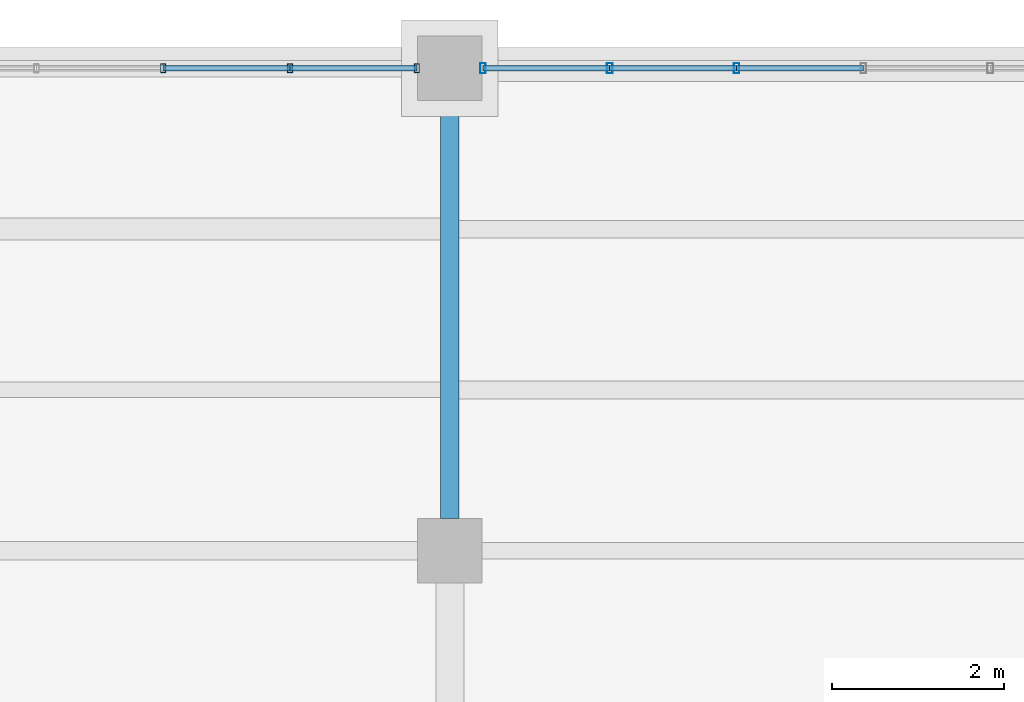
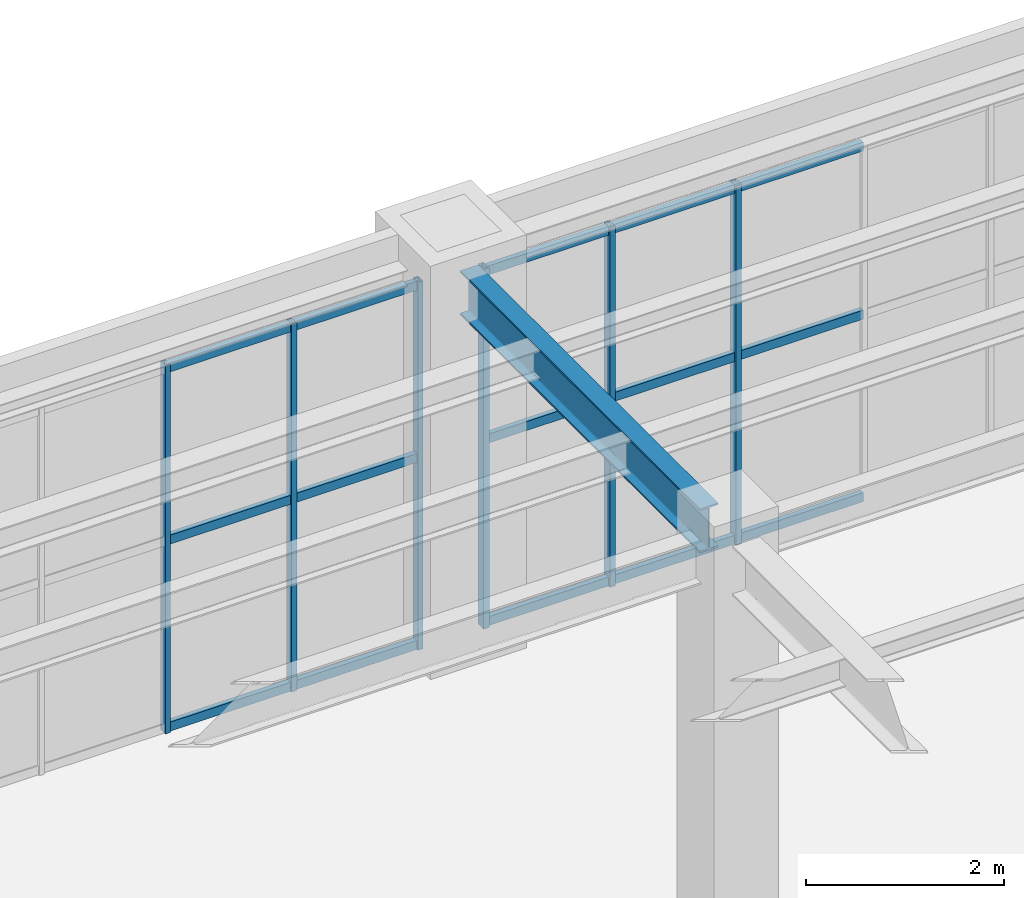
# One storey, part 76 of 174: 21 members, 1 beam, 2 elements without a shape of their own.
"""IFC4 building model written with IfcOpenShell, lengths in metres."""

from ifc_helpers import new_model, si_unit, direction, frame, origin, origin_2d, place, context, subcontext, project, spatial, hollow_rectangle, i_section, extrude, material, material_profile, profile_set, type_object, element, aggregate, save


model = new_model("IFC4")

# Units and contexts
model_context = context("Model", 3, precision=1e-05, world=origin(), true_north=direction((0.0, 1.0)))
body_context = subcontext(model_context, "Body", "Model", "MODEL_VIEW")
ifc_project = project(units=[si_unit("LENGTHUNIT", "METRE"), si_unit("AREAUNIT", "SQUARE_METRE"), si_unit("VOLUMEUNIT", "CUBIC_METRE"), si_unit("PLANEANGLEUNIT", "RADIAN"), si_unit("MASSUNIT", "GRAM", prefix="KILO")], contexts=[model_context])

# Site, building, storey
site_placement = place(None, origin())
site = spatial("IfcSite", under=ifc_project, at=site_placement, CompositionType="ELEMENT")
building_placement = place(site_placement, origin())
building = spatial("IfcBuilding", under=site, at=building_placement, Name="Mavantir Sound Aquarium", CompositionType="ELEMENT")
storey_placement = place(building_placement, frame((0.0, 0.0, 5.39990234375)))
storey = spatial("IfcBuildingStorey", under=building, at=storey_placement, Name="L01", CompositionType="ELEMENT", Elevation=5.39990234375)

# Beam
ifc_material_1 = material(Name="Structural Steel ASTM A992 Gr50", Category="steel")
ifc_material_profile_1 = material_profile(ifc_material_1, i_section(OverallWidth=0.2119140625, OverallDepth=0.5439453125, WebThickness=0.01318359375, FlangeThickness=0.021240234375, FilletRadius=0.01806640625, at=origin_2d()), Name="W530X123")
ifc_profile_set_1 = profile_set([ifc_material_profile_1], Name="Structural Steel ASTM A992 Gr50")
beam_type = type_object("IfcBeamType", Name="BM-W530X123-I", PredefinedType="BEAM", material=ifc_profile_set_1)
beam_placement = place(storey_placement, frame((19.199951171875, 110.77490234375, 4.504150390625), z_axis=(0.0, 1.0, 0.0), x_axis=(-1.0, 0.0, 0.0)))
element("IfcBeam", 1, at=beam_placement, inside=storey, type_object=beam_type, Name="L01 primary girder SB-53 1388", PredefinedType="BEAM", context=body_context, shape_type="SweptSolid", body=[
    extrude(i_section(OverallWidth=0.2119140625, OverallDepth=0.5439453125, WebThickness=0.01318359375, FlangeThickness=0.021240234375, FilletRadius=0.01806640625, at=origin_2d()), origin(), (0.0, 0.0, 1.0), 4.85009765625),
])

# Curtain wall, members
ifc_material_2 = material(Name="Anodised Marine Aluminium and Low-E Glass", Category="aluminium")
curtain_wall_type_1 = type_object("IfcCurtainWallType", Name="CW-T23", PredefinedType="USERDEFINED", material=ifc_material_2)
curtain_wall_1_placement = place(storey_placement, origin())
curtain_wall_1 = element("IfcCurtainWall", 2, at=curtain_wall_1_placement, inside=storey, type_object=curtain_wall_type_1, Name="L01 unitised curtain wall CW-23 119", ObjectType="UNITISED GLAZING", PredefinedType="USERDEFINED")
ifc_material_3 = material(Name="Anodised Marine Aluminium 6063-T6", Category="aluminium")
ifc_material_profile_2 = material_profile(ifc_material_3, hollow_rectangle(XDim=0.06005859375, YDim=0.10009765625, WallThickness=0.00390625, at=origin_2d()), Name="ALU-MULLION-100X60")
ifc_profile_set_2 = profile_set([ifc_material_profile_2], Name="Anodised Marine Aluminium 6063-T6")
member_type_1 = type_object("IfcMemberType", Name="CW-MUL-100", PredefinedType="MULLION", material=ifc_profile_set_2)
member_1_placement = place(storey_placement, frame((18.81689453125, 116.0, 0.0), z_axis=(0.0, 0.0, 1.0), x_axis=(1.0, 0.0, 0.0)))
member_1 = element("IfcMember", 3, at=member_1_placement, type_object=member_type_1, Name="CW-L01-119 vertical mullion 1", PredefinedType="MULLION", context=body_context, shape_type="SweptSolid", body=[
    extrude(hollow_rectangle(XDim=0.06005859375, YDim=0.10009765625, WallThickness=0.00390625, at=origin_2d()), origin(), (0.0, 0.0, 1.0), 4.543212890625),
])
member_2_placement = place(storey_placement, frame((17.3447265625, 116.0, 0.0), z_axis=(0.0, 0.0, 1.0), x_axis=(1.0, 0.0, 0.0)))
member_2 = element("IfcMember", 4, at=member_2_placement, type_object=member_type_1, Name="CW-L01-119 vertical mullion 2", PredefinedType="MULLION", context=body_context, shape_type="SweptSolid", body=[
    extrude(hollow_rectangle(XDim=0.06005859375, YDim=0.10009765625, WallThickness=0.00390625, at=origin_2d()), origin(), (0.0, 0.0, 1.0), 4.543212890625),
])
member_3_placement = place(storey_placement, frame((15.872314453125, 116.0, 0.0), z_axis=(0.0, 0.0, 1.0), x_axis=(1.0, 0.0, 0.0)))
member_3 = element("IfcMember", 5, at=member_3_placement, type_object=member_type_1, Name="CW-L01-119 vertical mullion 3", PredefinedType="MULLION", context=body_context, shape_type="SweptSolid", body=[
    extrude(hollow_rectangle(XDim=0.06005859375, YDim=0.10009765625, WallThickness=0.00390625, at=origin_2d()), origin(), (0.0, 0.0, 1.0), 4.543212890625),
])

curtain_wall_type_2 = type_object("IfcCurtainWallType", Name="CW-T22", PredefinedType="USERDEFINED", material=ifc_material_2)
curtain_wall_2_placement = place(storey_placement, origin())
curtain_wall_2 = element("IfcCurtainWall", 6, at=curtain_wall_2_placement, inside=storey, type_object=curtain_wall_type_2, Name="L01 unitised curtain wall CW-22 118", ObjectType="UNITISED GLAZING", PredefinedType="USERDEFINED")
ifc_material_profile_3 = material_profile(ifc_material_3, hollow_rectangle(XDim=0.06494140625, YDim=0.1201171875, WallThickness=0.00390625, at=origin_2d()), Name="ALU-MULLION-120X65")
ifc_profile_set_3 = profile_set([ifc_material_profile_3], Name="Anodised Marine Aluminium 6063-T6")
member_type_2 = type_object("IfcMemberType", Name="CW-MUL-120", PredefinedType="MULLION", material=ifc_profile_set_3)
member_4_placement = place(storey_placement, frame((22.527587890625, 116.0, 0.0), z_axis=(0.0, 0.0, 1.0), x_axis=(1.0, 0.0, 0.0)))
member_4 = element("IfcMember", 7, at=member_4_placement, type_object=member_type_2, Name="CW-L01-118 vertical mullion 5", PredefinedType="MULLION", context=body_context, shape_type="SweptSolid", body=[
    extrude(hollow_rectangle(XDim=0.06494140625, YDim=0.1201171875, WallThickness=0.00390625, at=origin_2d()), origin(), (0.0, 0.0, 1.0), 4.43798828125),
])
member_5_placement = place(storey_placement, frame((21.055419921875, 116.0, 0.0), z_axis=(0.0, 0.0, 1.0), x_axis=(1.0, 0.0, 0.0)))
member_5 = element("IfcMember", 8, at=member_5_placement, type_object=member_type_2, Name="CW-L01-118 vertical mullion 6", PredefinedType="MULLION", context=body_context, shape_type="SweptSolid", body=[
    extrude(hollow_rectangle(XDim=0.06494140625, YDim=0.1201171875, WallThickness=0.00390625, at=origin_2d()), origin(), (0.0, 0.0, 1.0), 4.43798828125),
])
member_6_placement = place(storey_placement, frame((19.5830078125, 116.0, 0.0), z_axis=(0.0, 0.0, 1.0), x_axis=(1.0, 0.0, 0.0)))
member_6 = element("IfcMember", 9, at=member_6_placement, type_object=member_type_2, Name="CW-L01-118 vertical mullion 7", PredefinedType="MULLION", context=body_context, shape_type="SweptSolid", body=[
    extrude(hollow_rectangle(XDim=0.06494140625, YDim=0.1201171875, WallThickness=0.00390625, at=origin_2d()), origin(), (0.0, 0.0, 1.0), 4.43798828125),
])
ifc_material_profile_4 = material_profile(ifc_material_3, hollow_rectangle(XDim=0.06005859375, YDim=0.110107421875, WallThickness=0.00390625, at=origin_2d()), Name="ALU-TRANSOM-110X60")
ifc_profile_set_4 = profile_set([ifc_material_profile_4], Name="Anodised Marine Aluminium 6063-T6")
member_type_3 = type_object("IfcMemberType", Name="CW-TRN-110", PredefinedType="USERDEFINED", material=ifc_profile_set_4)
member_7_placement = place(storey_placement, frame((24.0, 116.0, 0.05517578125), z_axis=(-1.0, 0.0, 0.0), x_axis=(0.0, -1.0, 0.0)))
member_7 = element("IfcMember", 10, at=member_7_placement, type_object=member_type_3, Name="CW-L01-118 transom 4.1", ObjectType="TRANSOM", PredefinedType="USERDEFINED", context=body_context, shape_type="SweptSolid", body=[
    extrude(hollow_rectangle(XDim=0.06005859375, YDim=0.110107421875, WallThickness=0.00390625, at=origin_2d()), origin(), (0.0, 0.0, 1.0), 1.472412109375),
])
member_8_placement = place(storey_placement, frame((24.0, 116.0, 2.307861328125), z_axis=(-1.0, 0.0, 0.0), x_axis=(0.0, -1.0, 0.0)))
member_8 = element("IfcMember", 11, at=member_8_placement, type_object=member_type_3, Name="CW-L01-118 transom 4.2", ObjectType="TRANSOM", PredefinedType="USERDEFINED", context=body_context, shape_type="SweptSolid", body=[
    extrude(hollow_rectangle(XDim=0.06005859375, YDim=0.110107421875, WallThickness=0.00390625, at=origin_2d()), origin(), (0.0, 0.0, 1.0), 1.472412109375),
])
member_9_placement = place(storey_placement, frame((24.0, 116.0, 4.383056640625), z_axis=(-1.0, 0.0, 0.0), x_axis=(0.0, -1.0, 0.0)))
member_9 = element("IfcMember", 12, at=member_9_placement, type_object=member_type_3, Name="CW-L01-118 transom 4.3", ObjectType="TRANSOM", PredefinedType="USERDEFINED", context=body_context, shape_type="SweptSolid", body=[
    extrude(hollow_rectangle(XDim=0.06005859375, YDim=0.110107421875, WallThickness=0.00390625, at=origin_2d()), origin(), (0.0, 0.0, 1.0), 1.472412109375),
])
member_10_placement = place(storey_placement, frame((22.527587890625, 116.0, 0.05517578125), z_axis=(-1.0, 0.0, 0.0), x_axis=(0.0, -1.0, 0.0)))
member_10 = element("IfcMember", 13, at=member_10_placement, type_object=member_type_3, Name="CW-L01-118 transom 5.1", ObjectType="TRANSOM", PredefinedType="USERDEFINED", context=body_context, shape_type="SweptSolid", body=[
    extrude(hollow_rectangle(XDim=0.06005859375, YDim=0.110107421875, WallThickness=0.00390625, at=origin_2d()), origin(), (0.0, 0.0, 1.0), 1.47216796875),
])
member_11_placement = place(storey_placement, frame((22.527587890625, 116.0, 2.307861328125), z_axis=(-1.0, 0.0, 0.0), x_axis=(0.0, -1.0, 0.0)))
member_11 = element("IfcMember", 14, at=member_11_placement, type_object=member_type_3, Name="CW-L01-118 transom 5.2", ObjectType="TRANSOM", PredefinedType="USERDEFINED", context=body_context, shape_type="SweptSolid", body=[
    extrude(hollow_rectangle(XDim=0.06005859375, YDim=0.110107421875, WallThickness=0.00390625, at=origin_2d()), origin(), (0.0, 0.0, 1.0), 1.47216796875),
])
member_12_placement = place(storey_placement, frame((22.527587890625, 116.0, 4.383056640625), z_axis=(-1.0, 0.0, 0.0), x_axis=(0.0, -1.0, 0.0)))
member_12 = element("IfcMember", 15, at=member_12_placement, type_object=member_type_3, Name="CW-L01-118 transom 5.3", ObjectType="TRANSOM", PredefinedType="USERDEFINED", context=body_context, shape_type="SweptSolid", body=[
    extrude(hollow_rectangle(XDim=0.06005859375, YDim=0.110107421875, WallThickness=0.00390625, at=origin_2d()), origin(), (0.0, 0.0, 1.0), 1.47216796875),
])
member_13_placement = place(storey_placement, frame((21.055419921875, 116.0, 0.05517578125), z_axis=(-1.0, 0.0, 0.0), x_axis=(0.0, -1.0, 0.0)))
member_13 = element("IfcMember", 16, at=member_13_placement, type_object=member_type_3, Name="CW-L01-118 transom 6.1", ObjectType="TRANSOM", PredefinedType="USERDEFINED", context=body_context, shape_type="SweptSolid", body=[
    extrude(hollow_rectangle(XDim=0.06005859375, YDim=0.110107421875, WallThickness=0.00390625, at=origin_2d()), origin(), (0.0, 0.0, 1.0), 1.472412109375),
])
member_14_placement = place(storey_placement, frame((21.055419921875, 116.0, 2.307861328125), z_axis=(-1.0, 0.0, 0.0), x_axis=(0.0, -1.0, 0.0)))
member_14 = element("IfcMember", 17, at=member_14_placement, type_object=member_type_3, Name="CW-L01-118 transom 6.2", ObjectType="TRANSOM", PredefinedType="USERDEFINED", context=body_context, shape_type="SweptSolid", body=[
    extrude(hollow_rectangle(XDim=0.06005859375, YDim=0.110107421875, WallThickness=0.00390625, at=origin_2d()), origin(), (0.0, 0.0, 1.0), 1.472412109375),
])
member_15_placement = place(storey_placement, frame((21.055419921875, 116.0, 4.383056640625), z_axis=(-1.0, 0.0, 0.0), x_axis=(0.0, -1.0, 0.0)))
member_15 = element("IfcMember", 18, at=member_15_placement, type_object=member_type_3, Name="CW-L01-118 transom 6.3", ObjectType="TRANSOM", PredefinedType="USERDEFINED", context=body_context, shape_type="SweptSolid", body=[
    extrude(hollow_rectangle(XDim=0.06005859375, YDim=0.110107421875, WallThickness=0.00390625, at=origin_2d()), origin(), (0.0, 0.0, 1.0), 1.472412109375),
])
aggregate(curtain_wall_2, [member_4, member_5, member_6, member_7, member_8, member_9, member_10, member_11, member_12, member_13, member_14, member_15])

# Member
member_16_placement = place(storey_placement, frame((18.81689453125, 116.0, 0.05517578125), z_axis=(-1.0, 0.0, 0.0), x_axis=(0.0, -1.0, 0.0)))
member_16 = element("IfcMember", 19, at=member_16_placement, type_object=member_type_3, Name="CW-L01-119 transom 1.1", ObjectType="TRANSOM", PredefinedType="USERDEFINED", context=body_context, shape_type="SweptSolid", body=[
    extrude(hollow_rectangle(XDim=0.06005859375, YDim=0.110107421875, WallThickness=0.00390625, at=origin_2d()), origin(), (0.0, 0.0, 1.0), 1.47216796875),
])

member_17_placement = place(storey_placement, frame((18.81689453125, 116.0, 2.362548828125), z_axis=(-1.0, 0.0, 0.0), x_axis=(0.0, -1.0, 0.0)))
member_17 = element("IfcMember", 20, at=member_17_placement, type_object=member_type_3, Name="CW-L01-119 transom 1.2", ObjectType="TRANSOM", PredefinedType="USERDEFINED", context=body_context, shape_type="SweptSolid", body=[
    extrude(hollow_rectangle(XDim=0.06005859375, YDim=0.110107421875, WallThickness=0.00390625, at=origin_2d()), origin(), (0.0, 0.0, 1.0), 1.47216796875),
])

member_18_placement = place(storey_placement, frame((18.81689453125, 116.0, 4.488037109375), z_axis=(-1.0, 0.0, 0.0), x_axis=(0.0, -1.0, 0.0)))
member_18 = element("IfcMember", 21, at=member_18_placement, type_object=member_type_3, Name="CW-L01-119 transom 1.3", ObjectType="TRANSOM", PredefinedType="USERDEFINED", context=body_context, shape_type="SweptSolid", body=[
    extrude(hollow_rectangle(XDim=0.06005859375, YDim=0.110107421875, WallThickness=0.00390625, at=origin_2d()), origin(), (0.0, 0.0, 1.0), 1.47216796875),
])

member_19_placement = place(storey_placement, frame((17.3447265625, 116.0, 0.05517578125), z_axis=(-1.0, 0.0, 0.0), x_axis=(0.0, -1.0, 0.0)))
member_19 = element("IfcMember", 22, at=member_19_placement, type_object=member_type_3, Name="CW-L01-119 transom 2.1", ObjectType="TRANSOM", PredefinedType="USERDEFINED", context=body_context, shape_type="SweptSolid", body=[
    extrude(hollow_rectangle(XDim=0.06005859375, YDim=0.110107421875, WallThickness=0.00390625, at=origin_2d()), origin(), (0.0, 0.0, 1.0), 1.472412109375),
])

member_20_placement = place(storey_placement, frame((17.3447265625, 116.0, 2.362548828125), z_axis=(-1.0, 0.0, 0.0), x_axis=(0.0, -1.0, 0.0)))
member_20 = element("IfcMember", 23, at=member_20_placement, type_object=member_type_3, Name="CW-L01-119 transom 2.2", ObjectType="TRANSOM", PredefinedType="USERDEFINED", context=body_context, shape_type="SweptSolid", body=[
    extrude(hollow_rectangle(XDim=0.06005859375, YDim=0.110107421875, WallThickness=0.00390625, at=origin_2d()), origin(), (0.0, 0.0, 1.0), 1.472412109375),
])

member_21_placement = place(storey_placement, frame((17.3447265625, 116.0, 4.488037109375), z_axis=(-1.0, 0.0, 0.0), x_axis=(0.0, -1.0, 0.0)))
member_21 = element("IfcMember", 24, at=member_21_placement, type_object=member_type_3, Name="CW-L01-119 transom 2.3", ObjectType="TRANSOM", PredefinedType="USERDEFINED", context=body_context, shape_type="SweptSolid", body=[
    extrude(hollow_rectangle(XDim=0.06005859375, YDim=0.110107421875, WallThickness=0.00390625, at=origin_2d()), origin(), (0.0, 0.0, 1.0), 1.472412109375),
])

aggregate(curtain_wall_1, [member_1, member_2, member_3, member_16, member_17, member_18, member_19, member_20, member_21])

save(model, "model.ifc")
